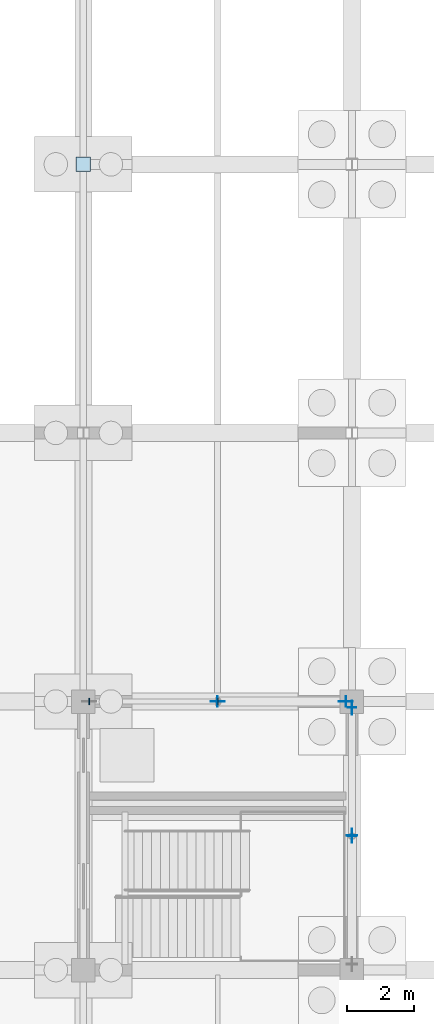
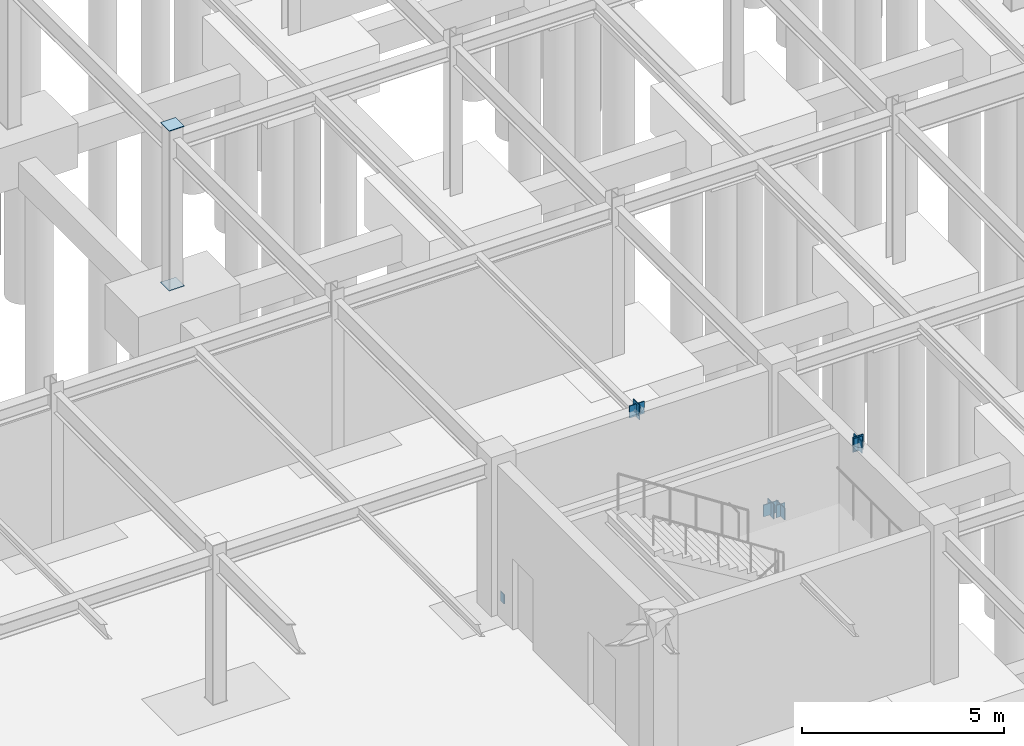
# One storey, part 51 of 72: 13 plates.
"""IFC4 building model written with IfcOpenShell, lengths in metres."""

from ifc_helpers import new_model, si_unit, direction, frame, origin, origin_2d, place, context, subcontext, project, spatial, rectangle, extrude, material, layer, layer_set, type_object, element, save


model = new_model("IFC4")

# Units and contexts
model_context = context("Model", 3, precision=1e-05, world=origin(), true_north=direction((0.0, 1.0)))
body_context = subcontext(model_context, "Body", "Model", "MODEL_VIEW")
ifc_project = project(units=[si_unit("LENGTHUNIT", "METRE"), si_unit("AREAUNIT", "SQUARE_METRE"), si_unit("VOLUMEUNIT", "CUBIC_METRE"), si_unit("PLANEANGLEUNIT", "RADIAN"), si_unit("MASSUNIT", "GRAM", prefix="KILO")], contexts=[model_context])

# Site, building, storey
site_placement = place(None, origin())
site = spatial("IfcSite", under=ifc_project, at=site_placement, CompositionType="ELEMENT")
building_placement = place(site_placement, origin())
building = spatial("IfcBuilding", under=site, at=building_placement, Name="Zhaolan Boulevard Law Courts", CompositionType="ELEMENT")
storey_placement = place(building_placement, frame((0.0, 0.0, -4.800048828125)))
storey = spatial("IfcBuildingStorey", under=building, at=storey_placement, Name="B1", CompositionType="ELEMENT", Elevation=-4.800048828125)

# Plates
ifc_material_1 = material(Name="Structural steel Q355B", Category="steel")
ifc_layer_1 = layer(ifc_material_1, 0.02392578125)
ifc_layer_set_1 = layer_set([ifc_layer_1])
plate_type_1 = type_object("IfcPlateType", Name="BRACE GUSSET PLATE 24", PredefinedType="SHEET", material=ifc_layer_set_1)
for number, where, z_axis, x_axis, name in (
    (1, (123.820068359375, 22.0, 0.02001953125), (0.0, 0.0, 1.0), (1.0, 0.0, 0.0), "Brace Gusset Connection Plate GP-P2-B1-NA2"),
    (2, (120.0, 22.0, 4.33984375), (0.0, 0.0, 1.0), (1.0, 0.0, 0.0), "Brace Gusset Connection Plate GP-P2-B1-NAPX"),
    (3, (124.0, 21.820068359375, 0.02001953125), (0.0, 0.0, 1.0), (0.0, 1.0, 0.0), "Brace Gusset Connection Plate GP-P2-B1-EA2"),
    (4, (124.0, 18.0, 4.33984375), (0.0, 0.0, 1.0), (0.0, 1.0, 0.0), "Brace Gusset Connection Plate GP-P2-B1-EAPX"),
):
    element("IfcPlate", number, at=place(storey_placement, frame(where, z_axis=z_axis, x_axis=x_axis)), inside=storey, type_object=plate_type_1, Name=name, PredefinedType="SHEET", context=body_context, shape_type="SweptSolid", body=[
        extrude(rectangle(XDim=0.419921875, YDim=0.02392578125, at=origin_2d()), origin(), (0.0, 0.0, 1.0), 0.360107421875),
    ])
ifc_material_2 = material(Name="Structural steel Q355B", Category="steel")
ifc_layer_2 = layer(ifc_material_2, 0.02001953125)
ifc_layer_set_2 = layer_set([ifc_layer_2])
plate_type_2 = type_object("IfcPlateType", Name="END CAP PLATE 20", PredefinedType="SHEET", material=ifc_layer_set_2)
for number, where, z_axis, x_axis, name in (
    (5, (116.0, 38.0, -0.01806640625), (0.0, 0.0, 1.0), (1.0, 0.0, 0.0), "Hollow Section End-Cap Plate ECP-0649"),
    (6, (116.0, 38.0, 4.798095703125), (0.0, 0.0, 1.0), (1.0, 0.0, 0.0), "Hollow Section End-Cap Plate ECP-0650"),
):
    element("IfcPlate", number, at=place(storey_placement, frame(where, z_axis=z_axis, x_axis=x_axis)), inside=storey, type_object=plate_type_2, Name=name, PredefinedType="SHEET", context=body_context, shape_type="SweptSolid", body=[
        extrude(rectangle(XDim=0.429931640625, YDim=0.429931640625, at=origin_2d()), origin(), (0.0, 0.0, 1.0), 0.02001953125),
    ])
for number, where, z_axis, x_axis, name in (
    (7, (116.1748046875, 22.0, 0.050537109375), (0.0, 0.0, 1.0), (1.0, 0.0, 0.0), "Hollow Section End-Cap Plate ECP-1247"),
    (8, (120.00537109375, 22.0, 4.382568359375), (0.0, 0.0, 1.0), (1.0, 0.0, 0.0), "Hollow Section End-Cap Plate ECP-1248"),
):
    element("IfcPlate", number, at=place(storey_placement, frame(where, z_axis=z_axis, x_axis=x_axis)), inside=storey, type_object=plate_type_2, Name=name, PredefinedType="SHEET", context=body_context, shape_type="SweptSolid", body=[
        extrude(rectangle(XDim=0.02001953125, YDim=0.18994140625, at=origin_2d()), origin(), (0.0, 0.0, 1.0), 0.287109375),
    ])
for number, where, z_axis, x_axis, name in (
    (9, (123.8251953125, 22.0, -0.034423828125), (0.0, 0.0, 1.0), (-1.0, 0.0, 0.0), "Hollow Section End-Cap Plate ECP-1249"),
    (10, (119.99462890625, 22.0, 4.297607421875), (0.0, 0.0, 1.0), (-1.0, 0.0, 0.0), "Hollow Section End-Cap Plate ECP-1250"),
    (11, (124.0, 18.00537109375, 4.297607421875), (0.0, 0.0, 1.0), (0.0, 1.0, 0.0), "Hollow Section End-Cap Plate ECP-1252"),
):
    element("IfcPlate", number, at=place(storey_placement, frame(where, z_axis=z_axis, x_axis=x_axis)), inside=storey, type_object=plate_type_2, Name=name, PredefinedType="SHEET", context=body_context, shape_type="SweptSolid", body=[
        extrude(rectangle(XDim=0.02001953125, YDim=0.302978515625, at=origin_2d()), origin(), (0.0, 0.0, 1.0), 0.45703125),
    ])
for number, where, z_axis, x_axis, name in (
    (12, (124.0, 21.8251953125, 0.006103515625), (0.0, 0.0, 1.0), (0.0, -1.0, 0.0), "Hollow Section End-Cap Plate ECP-1253"),
    (13, (124.0, 17.99462890625, 4.338134765625), (0.0, 0.0, 1.0), (0.0, -1.0, 0.0), "Hollow Section End-Cap Plate ECP-1254"),
):
    element("IfcPlate", number, at=place(storey_placement, frame(where, z_axis=z_axis, x_axis=x_axis)), inside=storey, type_object=plate_type_2, Name=name, PredefinedType="SHEET", context=body_context, shape_type="SweptSolid", body=[
        extrude(rectangle(XDim=0.02001953125, YDim=0.2490234375, at=origin_2d()), origin(), (0.0, 0.0, 1.0), 0.3759765625),
    ])

save(model, "model.ifc")
